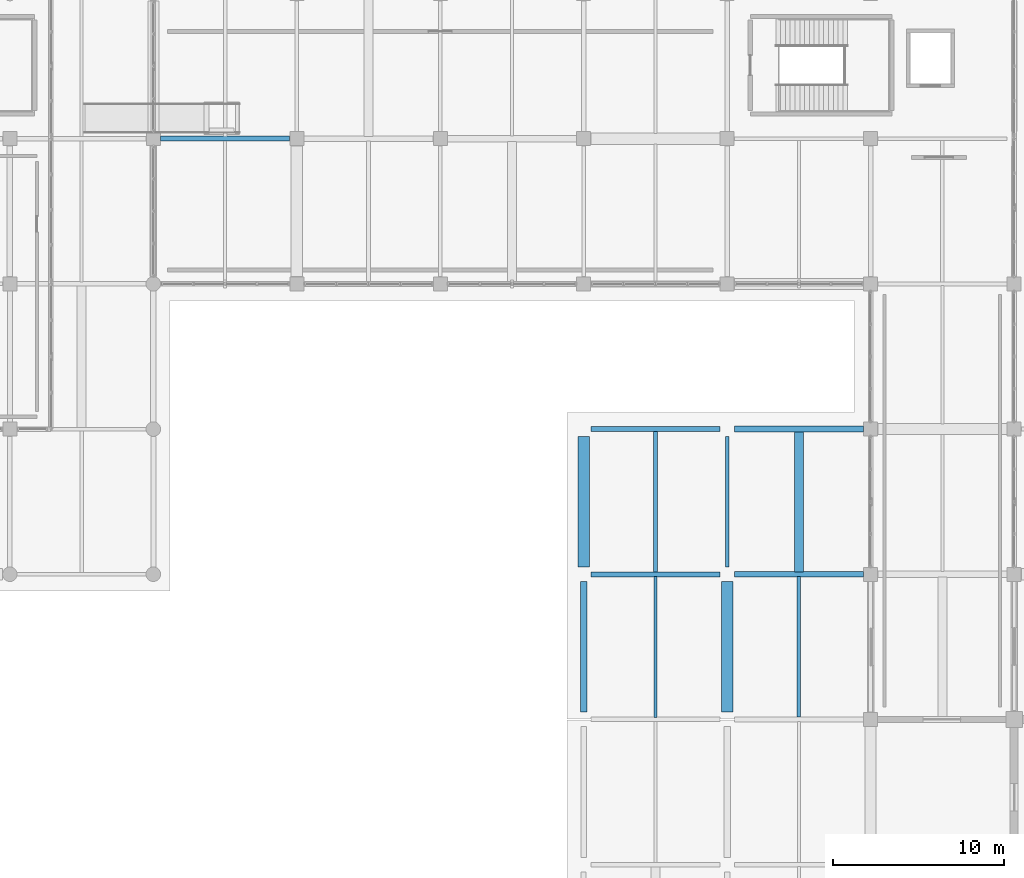
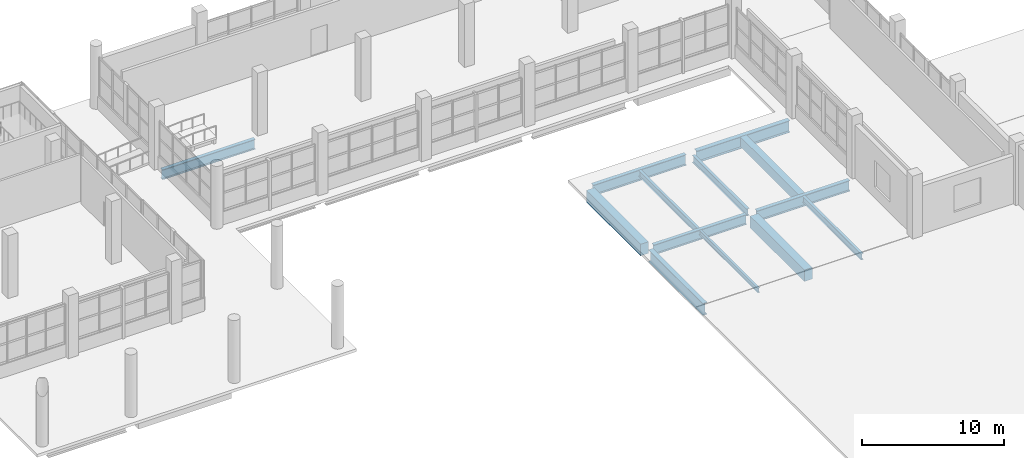
# One storey, part 29 of 107: 13 beams.
"""IFC4 building model written with IfcOpenShell, lengths in metres."""

from ifc_helpers import new_model, si_unit, direction, frame, origin, origin_2d, place, context, subcontext, project, spatial, rectangle, i_section, extrude, material, material_profile, profile_set, type_object, element, save


model = new_model("IFC4")

# Units and contexts
model_context = context("Model", 3, precision=1e-05, world=origin(), true_north=direction((0.0, 1.0)))
body_context = subcontext(model_context, "Body", "Model", "MODEL_VIEW")
ifc_project = project(units=[si_unit("LENGTHUNIT", "METRE"), si_unit("AREAUNIT", "SQUARE_METRE"), si_unit("VOLUMEUNIT", "CUBIC_METRE"), si_unit("PLANEANGLEUNIT", "RADIAN"), si_unit("MASSUNIT", "GRAM", prefix="KILO")], contexts=[model_context])

# Site, building, storey
site_placement = place(None, origin())
site = spatial("IfcSite", under=ifc_project, at=site_placement, CompositionType="ELEMENT")
building_placement = place(site_placement, origin())
building = spatial("IfcBuilding", under=site, at=building_placement, Name="Solvento Point Concert Hall", CompositionType="ELEMENT")
storey_placement = place(building_placement, origin())
storey = spatial("IfcBuildingStorey", under=building, at=storey_placement, Name="L00", CompositionType="ELEMENT", Elevation=0.0)

# Beams
ifc_material_1 = material(Name="Concrete C35/45", Category="concrete")
ifc_material_profile_1 = material_profile(ifc_material_1, rectangle(XDim=0.52001953125, YDim=0.840087890625, at=origin_2d()), Name="RC-BM-520X840")
ifc_profile_set_1 = profile_set([ifc_material_profile_1], Name="Concrete C35/45")
beam_type_1 = type_object("IfcBeamType", Name="Beam_RC_520x840", PredefinedType="BEAM", material=ifc_profile_set_1)
beam_1_placement = place(storey_placement, frame((61.800048828125, 102.138916015625, -0.6640625), z_axis=(0.0, 1.0, 0.0), x_axis=(-1.0, 0.0, 0.0)))
element("IfcBeam", 1, at=beam_1_placement, inside=storey, type_object=beam_type_1, Name="Secondary floor joist B-54 L00", PredefinedType="BEAM", context=body_context, shape_type="SweptSolid", body=[
    extrude(rectangle(XDim=0.52001953125, YDim=0.840087890625, at=origin_2d()), origin(), (0.0, 0.0, 1.0), 8.195556640625),
])
ifc_material_2 = material(Name="Structural Steel ASTM A992 Grade 50", Category="steel")
ifc_material_profile_2 = material_profile(ifc_material_2, i_section(OverallWidth=0.20947265625, OverallDepth=0.532958984375, WebThickness=0.01025390625, FlangeThickness=0.015625, at=origin_2d()), Name="W21X62")
ifc_profile_set_2 = profile_set([ifc_material_profile_2], Name="Structural Steel ASTM A992 Grade 50")
beam_type_2 = type_object("IfcBeamType", Name="Beam_W21X62", PredefinedType="BEAM", material=ifc_profile_set_2)
for number, where, z_axis, x_axis, name in (
    (2, (53.39990234375, 102.131103515625, -0.510498046875), (0.0, 1.0, 0.0), (-1.0, 0.0, 0.0), "Secondary floor joist B-25 L00"),
    (3, (61.800048828125, 93.631103515625, -0.510498046875), (0.0, 1.0, 0.0), (-1.0, 0.0, 0.0), "Secondary floor joist B-25 L00"),
):
    element("IfcBeam", number, at=place(storey_placement, frame(where, z_axis=z_axis, x_axis=x_axis)), inside=storey, type_object=beam_type_2, Name=name, PredefinedType="BEAM", context=body_context, shape_type="SweptSolid", body=[
        extrude(i_section(OverallWidth=0.20947265625, OverallDepth=0.532958984375, WebThickness=0.01025390625, FlangeThickness=0.015625, at=origin_2d()), origin(), (0.0, 0.0, 1.0), 8.22998046875),
    ])
ifc_material_3 = material(Name="Structural Steel ASTM A992 Grade 50", Category="steel")
ifc_material_profile_3 = material_profile(ifc_material_3, i_section(OverallWidth=0.228515625, OverallDepth=0.60791015625, WebThickness=0.01123046875, FlangeThickness=0.017333984375, at=origin_2d()), Name="W24X76")
ifc_profile_set_3 = profile_set([ifc_material_profile_3], Name="Structural Steel ASTM A992 Grade 50")
beam_type_3 = type_object("IfcBeamType", Name="Beam_W24X76", PredefinedType="BEAM", material=ifc_profile_set_3)
beam_2_placement = place(storey_placement, frame((57.60009765625, 102.424072265625, -0.548095703125), z_axis=(0.0, 1.0, 0.0), x_axis=(-1.0, 0.0, 0.0)))
element("IfcBeam", 4, at=beam_2_placement, inside=storey, type_object=beam_type_3, Name="Primary girder B-42 L00", PredefinedType="BEAM", context=body_context, shape_type="SweptSolid", body=[
    extrude(i_section(OverallWidth=0.228515625, OverallDepth=0.60791015625, WebThickness=0.01123046875, FlangeThickness=0.017333984375, at=origin_2d()), origin(), (0.0, 0.0, 1.0), 7.65185546875),
])
ifc_material_4 = material(Name="Concrete C35/45", Category="concrete")
ifc_material_profile_4 = material_profile(ifc_material_4, rectangle(XDim=0.64990234375, YDim=1.0, at=origin_2d()), Name="RC-BM-650X1000")
ifc_profile_set_4 = profile_set([ifc_material_profile_4], Name="Concrete C35/45")
beam_type_4 = type_object("IfcBeamType", Name="Girder_RC_650x1000", PredefinedType="USERDEFINED", material=ifc_profile_set_4)
for number, where, z_axis, x_axis, name in (
    (5, (49.199951171875, 102.424072265625, -0.743896484375), (0.0, 1.0, 0.0), (-1.0, 0.0, 0.0), "Primary girder B-67 L00"),
    (6, (57.60009765625, 93.924072265625, -0.743896484375), (0.0, 1.0, 0.0), (-1.0, 0.0, 0.0), "Primary girder B-67 L00"),
):
    element("IfcBeam", number, at=place(storey_placement, frame(where, z_axis=z_axis, x_axis=x_axis)), inside=storey, type_object=beam_type_4, Name=name, ObjectType="GIRDER", PredefinedType="USERDEFINED", context=body_context, shape_type="SweptSolid", body=[
        extrude(rectangle(XDim=0.64990234375, YDim=1.0, at=origin_2d()), origin(), (0.0, 0.0, 1.0), 7.65185546875),
    ])
ifc_material_5 = material(Name="Structural Steel ASTM A992 Grade 50", Category="steel")
ifc_material_profile_5 = material_profile(ifc_material_5, i_section(OverallWidth=0.2919921875, OverallDepth=0.85888671875, WebThickness=0.01708984375, FlangeThickness=0.031005859375, at=origin_2d()), Name="W33X169")
ifc_profile_set_5 = profile_set([ifc_material_profile_5], Name="Structural Steel ASTM A992 Grade 50")
beam_type_5 = type_object("IfcBeamType", Name="Girder_W33X169", PredefinedType="USERDEFINED", material=ifc_profile_set_5)
for number, where, z_axis, x_axis, name in (
    (7, (49.6240234375, 102.0, -0.673583984375), (1.0, 0.0, 0.0), (0.0, 1.0, 0.0), "Primary girder B-33 L00"),
    (8, (24.424072265625, 127.5, -0.843505859375), (1.0, 0.0, 0.0), (0.0, 1.0, 0.0), "Primary girder B-33 L00"),
):
    element("IfcBeam", number, at=place(storey_placement, frame(where, z_axis=z_axis, x_axis=x_axis)), inside=storey, type_object=beam_type_5, Name=name, ObjectType="GIRDER", PredefinedType="USERDEFINED", context=body_context, shape_type="SweptSolid", body=[
        extrude(i_section(OverallWidth=0.2919921875, OverallDepth=0.85888671875, WebThickness=0.01708984375, FlangeThickness=0.031005859375, at=origin_2d()), origin(), (0.0, 0.0, 1.0), 7.552001953125),
    ])
ifc_material_6 = material(Name="Structural Steel ASTM A992 Grade 50", Category="steel")
ifc_material_profile_6 = material_profile(ifc_material_6, i_section(OverallWidth=0.3076171875, OverallDepth=0.927001953125, WebThickness=0.019287109375, FlangeThickness=0.031982421875, at=origin_2d()), Name="W36X194")
ifc_profile_set_6 = profile_set([ifc_material_profile_6], Name="Structural Steel ASTM A992 Grade 50")
beam_type_6 = type_object("IfcBeamType", Name="Girder_W36X194", PredefinedType="USERDEFINED", material=ifc_profile_set_6)
for number, where, z_axis, x_axis, name in (
    (9, (58.02392578125, 102.0, -0.70751953125), (1.0, 0.0, 0.0), (0.0, 1.0, 0.0), "Primary girder B-61 L00"),
    (10, (49.6240234375, 110.5, -0.70751953125), (1.0, 0.0, 0.0), (0.0, 1.0, 0.0), "Primary girder B-61 L00"),
):
    element("IfcBeam", number, at=place(storey_placement, frame(where, z_axis=z_axis, x_axis=x_axis)), inside=storey, type_object=beam_type_6, Name=name, ObjectType="GIRDER", PredefinedType="USERDEFINED", context=body_context, shape_type="SweptSolid", body=[
        extrude(i_section(OverallWidth=0.3076171875, OverallDepth=0.927001953125, WebThickness=0.019287109375, FlangeThickness=0.031982421875, at=origin_2d()), origin(), (0.0, 0.0, 1.0), 7.552001953125),
    ])
ifc_material_7 = material(Name="Structural Steel ASTM A992 Grade 50", Category="steel")
ifc_material_profile_7 = material_profile(ifc_material_7, i_section(OverallWidth=0.361083984375, OverallDepth=1.02587890625, WebThickness=0.01904296875, FlangeThickness=0.0361328125, at=origin_2d()), Name="W40X249")
ifc_profile_set_7 = profile_set([ifc_material_profile_7], Name="Structural Steel ASTM A992 Grade 50")
beam_type_7 = type_object("IfcBeamType", Name="Girder_W40X249", PredefinedType="USERDEFINED", material=ifc_profile_set_7)
beam_3_placement = place(storey_placement, frame((58.02392578125, 110.5, -0.757080078125), z_axis=(1.0, 0.0, 0.0), x_axis=(0.0, 1.0, 0.0)))
element("IfcBeam", 11, at=beam_3_placement, inside=storey, type_object=beam_type_7, Name="Primary girder B-29 L00", ObjectType="GIRDER", PredefinedType="USERDEFINED", context=body_context, shape_type="SweptSolid", body=[
    extrude(i_section(OverallWidth=0.361083984375, OverallDepth=1.02587890625, WebThickness=0.01904296875, FlangeThickness=0.0361328125, at=origin_2d()), origin(), (0.0, 0.0, 1.0), 7.552001953125),
])
beam_4_placement = place(storey_placement, frame((49.199951171875, 93.924072265625, -0.757080078125), z_axis=(0.0, 1.0, 0.0), x_axis=(-1.0, 0.0, 0.0)))
element("IfcBeam", 12, at=beam_4_placement, inside=storey, type_object=beam_type_7, Name="Primary girder B-29 L00", ObjectType="GIRDER", PredefinedType="USERDEFINED", context=body_context, shape_type="SweptSolid", body=[
    extrude(i_section(OverallWidth=0.361083984375, OverallDepth=1.02587890625, WebThickness=0.01904296875, FlangeThickness=0.0361328125, at=origin_2d()), origin(), (0.0, 0.0, 1.0), 7.65185546875),
])
ifc_material_8 = material(Name="Structural Steel ASTM A992 Grade 50", Category="steel")
ifc_material_profile_8 = material_profile(ifc_material_8, i_section(OverallWidth=0.177490234375, OverallDepth=0.403076171875, WebThickness=0.007568359375, FlangeThickness=0.010986328125, at=origin_2d()), Name="W16X36")
ifc_profile_set_8 = profile_set([ifc_material_profile_8], Name="Structural Steel ASTM A992 Grade 50")
beam_type_8 = type_object("IfcBeamType", Name="Joist_W16X36", PredefinedType="JOIST", material=ifc_profile_set_8)
beam_5_placement = place(storey_placement, frame((53.39990234375, 93.618896484375, -0.445556640625), z_axis=(0.0, 1.0, 0.0), x_axis=(-1.0, 0.0, 0.0)))
element("IfcBeam", 13, at=beam_5_placement, inside=storey, type_object=beam_type_8, Name="Secondary floor joist B-30 L00", PredefinedType="JOIST", context=body_context, shape_type="SweptSolid", body=[
    extrude(i_section(OverallWidth=0.177490234375, OverallDepth=0.403076171875, WebThickness=0.007568359375, FlangeThickness=0.010986328125, at=origin_2d()), origin(), (0.0, 0.0, 1.0), 8.25),
])

save(model, "model.ifc")
